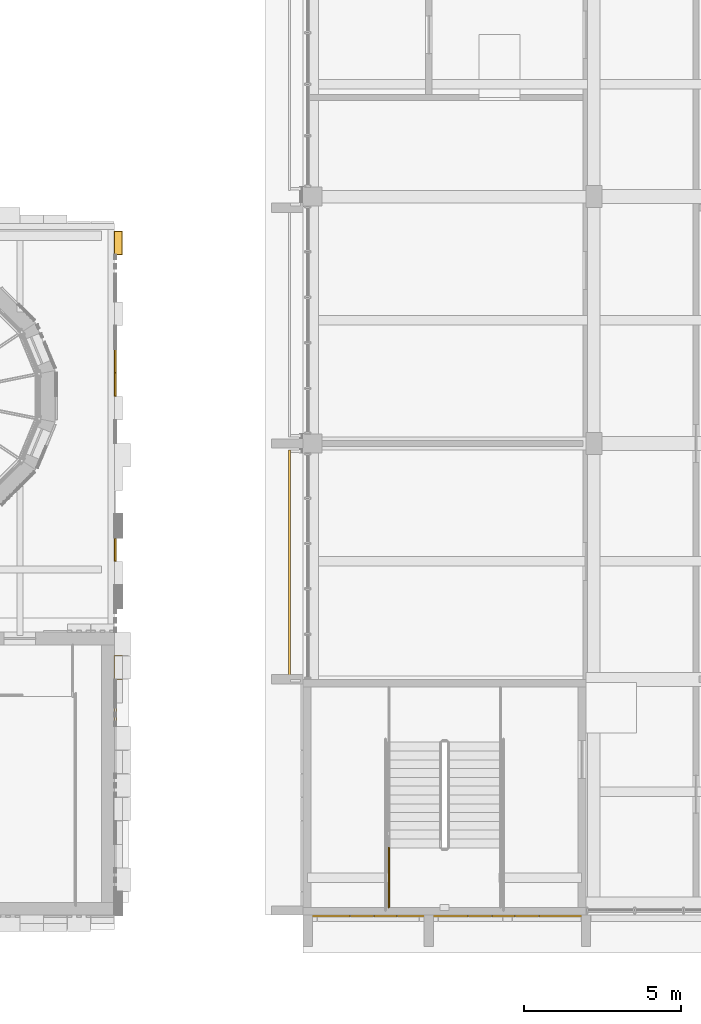
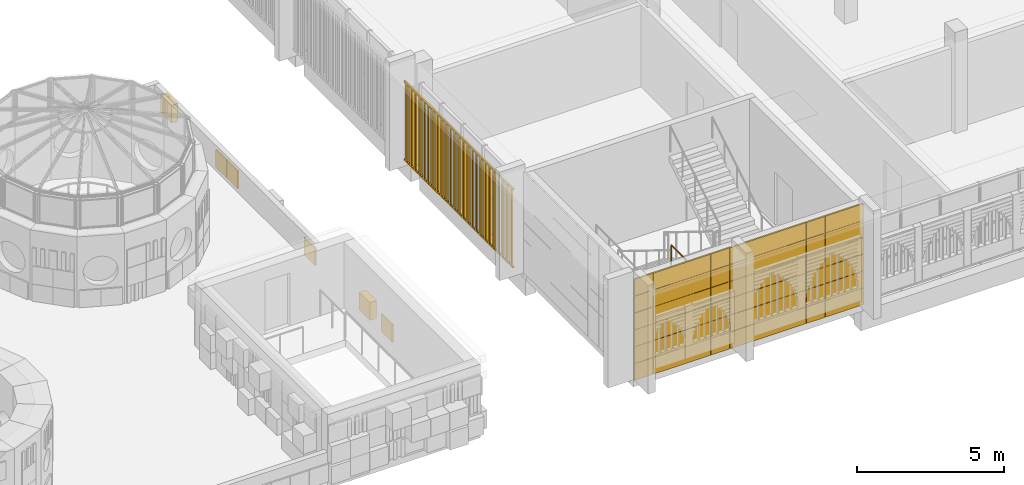
# One storey, part 86 of 98: 2 coverings, 1 railing, 1 shading device.
"""IFC4 building model written with IfcOpenShell, lengths in metres."""

import ifcopenshell
import ifcopenshell.guid

model = None  # the IFC model being written
_history = None  # IfcOwnerHistory: only IFC2X3 demands one
_inside = {}  # id of a spatial element -> (the spatial element, [elements in it])
_under = {}  # id of a project, library or spatial element -> (it, [spatial elements below it])
_declared = {}  # id of a project -> (the project, [libraries it declares])
_typed = {}  # id of a type object -> (the type object, [elements of that type])
_made_of = {}  # id of a material, layer set ... -> (it, [elements and type objects made of it])


def new_model(schema):
    """Start an empty IFC model of exactly this schema.

    Asked for "IFC4X3", IfcOpenShell would pick the latest addendum, in which some entities
    have other attributes; the version numbers below select the first issue.
    IFC2X3 requires an IfcOwnerHistory on every rooted entity: one is made here for all.
    """
    global model, _history
    if schema == "IFC4X3":
        model = ifcopenshell.file(schema_version=(4, 3, 0, 0))
    else:
        model = ifcopenshell.file(schema=schema)
    _inside.clear()
    _under.clear()
    _declared.clear()
    _typed.clear()
    _made_of.clear()
    _history = None
    if model.schema == "IFC2X3":
        org = make("IfcOrganization", Name="unknown")
        user = make(
            "IfcPersonAndOrganization",
            ThePerson=make("IfcPerson", FamilyName="unknown"),
            TheOrganization=org,
        )
        app = make(
            "IfcApplication",
            ApplicationDeveloper=org,
            Version="unknown",
            ApplicationFullName="unknown",
            ApplicationIdentifier="unknown",
        )
        _history = make(
            "IfcOwnerHistory",
            OwningUser=user,
            OwningApplication=app,
            ChangeAction="ADDED",
            CreationDate=0,
        )
    return model


def make(cls, **values):
    """One entity of the class cls with the attributes given. An attribute that is None is left unset."""
    return model.create_entity(
        cls, **{name: value for name, value in values.items() if value is not None}
    )


def rooted(cls, **values):
    """An entity with a GlobalId (a new one), such as an element, a storey or a relation."""
    return make(cls, GlobalId=ifcopenshell.guid.new(), OwnerHistory=_history, **values)


def si_unit(unit_type, name, prefix=None):
    """IfcSIUnit, for example si_unit("LENGTHUNIT", "METRE", prefix="MILLI")."""
    return make("IfcSIUnit", UnitType=unit_type, Prefix=prefix, Name=name)


def assignment(units):
    """IfcUnitAssignment: the units of a project."""
    return None if units is None else make("IfcUnitAssignment", Units=units)


def point(xyz):
    """IfcCartesianPoint."""
    return None if xyz is None else make("IfcCartesianPoint", Coordinates=xyz)


def direction(xyz):
    """IfcDirection."""
    return None if xyz is None else make("IfcDirection", DirectionRatios=xyz)


def frame(location, z_axis=None, x_axis=None):
    """IfcAxis2Placement3D, a coordinate frame: its origin and axes. An axis left out is left unset."""
    return make(
        "IfcAxis2Placement3D",
        Location=point(location),
        Axis=direction(z_axis),
        RefDirection=direction(x_axis),
    )


def frame_2d(location, x_axis=None):
    """IfcAxis2Placement2D, a coordinate frame in the plane: its origin and x axis."""
    return make(
        "IfcAxis2Placement2D", Location=point(location), RefDirection=direction(x_axis)
    )


def origin():
    """The frame at (0, 0, 0) with its axes left unset."""
    return frame((0.0, 0.0, 0.0))


def origin_2d():
    """The frame at (0, 0) in the plane with its x axis left unset."""
    return frame_2d((0.0, 0.0))


def place(relative_to, where):
    """IfcLocalPlacement: puts the frame where relative to a parent placement (None: the world)."""
    return make(
        "IfcLocalPlacement", PlacementRelTo=relative_to, RelativePlacement=where
    )


def context(
    kind, dimensions, precision=None, world=None, true_north=None, identifier=None
):
    """IfcGeometricRepresentationContext, for example the 3D "Model" context."""
    return make(
        "IfcGeometricRepresentationContext",
        ContextIdentifier=identifier,
        ContextType=kind,
        CoordinateSpaceDimension=dimensions,
        Precision=precision,
        WorldCoordinateSystem=world,
        TrueNorth=true_north,
    )


def subcontext(parent, identifier, kind, view, scale=None):
    """IfcGeometricRepresentationSubContext, for example "Body" below "Model"."""
    return make(
        "IfcGeometricRepresentationSubContext",
        ContextIdentifier=identifier,
        ContextType=kind,
        ParentContext=parent,
        TargetScale=scale,
        TargetView=view,
    )


def project(units=None, contexts=None):
    """IfcProject with its units and contexts."""
    return rooted(
        "IfcProject",
        Name="project",
        RepresentationContexts=contexts,
        UnitsInContext=assignment(units),
    )


def spatial(cls, under=None, at=None, **own):
    """A site, building, storey or space (cls), placed at a placement, below another one or the project."""
    s = rooted(cls, ObjectPlacement=at, **own)
    if under is not None:
        _under.setdefault(under.id(), (under, []))[1].append(s)
    return s


def profile(cls, at=None, kind="AREA", **sizes):
    """A parametric profile (cls). Its sizes go by their IFC names, for example OverallWidth=200.0."""
    return make(cls, ProfileType=kind, Position=at, **sizes)


def rectangle(**sizes):
    """IfcRectangleProfileDef."""
    return profile("IfcRectangleProfileDef", **sizes)


def circle(**sizes):
    """IfcCircleProfileDef."""
    return profile("IfcCircleProfileDef", **sizes)


def extrude(swept, where, along, depth):
    """IfcExtrudedAreaSolid: the profile swept, set in the frame where, extruded along a direction by depth."""
    return make(
        "IfcExtrudedAreaSolid",
        SweptArea=swept,
        Position=where,
        ExtrudedDirection=direction(along),
        Depth=depth,
    )


def shape(context_of_items, identifier, shape_type, items):
    """IfcShapeRepresentation: the items that make up one representation, for example the "Body"."""
    return make(
        "IfcShapeRepresentation",
        ContextOfItems=context_of_items,
        RepresentationIdentifier=identifier,
        RepresentationType=shape_type,
        Items=items,
    )


def material(Name=None, Category=None):
    """IfcMaterial."""
    return make("IfcMaterial", Name=Name, Category=Category)


def layer(
    of_material, thickness, ventilated=None, Name=None, Category=None, Priority=None
):
    """IfcMaterialLayer: one layer of a wall or slab, of a material (None: an air gap)."""
    return make(
        "IfcMaterialLayer",
        Material=of_material,
        LayerThickness=thickness,
        IsVentilated=ventilated,
        Name=Name,
        Category=Category,
        Priority=Priority,
    )


def layer_set(layers, Name=None):
    """IfcMaterialLayerSet."""
    return make("IfcMaterialLayerSet", MaterialLayers=layers, LayerSetName=Name)


def made_of(thing, what):
    """Note that an element or type object is made of a material, layer set ...; save() writes the relation."""
    if what is not None:
        _made_of.setdefault(what.id(), (what, []))[1].append(thing)
    return thing


def type_object(cls, material=None, **own):
    """A type object (cls), such as IfcWallType, which elements share."""
    return made_of(rooted(cls, **own), material)


def element(
    cls,
    number,
    at=None,
    inside=None,
    cuts=None,
    type_object=None,
    material=None,
    context=None,
    identifier="Body",
    shape_type=None,
    held_by="IfcProductDefinitionShape",
    body=None,
    shapes=None,
    **own,
):
    """One element of the class cls, such as IfcWall. Its Tag is "e" and its number.

    at: its placement. inside: the storey or other place that contains it. cuts: it is an
    opening in that element (IfcRelVoidsElement). A single representation is given by context,
    identifier, shape_type and body (its items); several are given by shapes. held_by: the class
    of the entity that holds the representations. save() writes the other relations.
    """
    e = rooted(cls, Tag="e%d" % number, ObjectPlacement=at, **own)
    if body is not None:
        shapes = [shape(context, identifier, shape_type, body)]
    if shapes is not None:
        e.Representation = make(held_by, Representations=shapes)
    if inside is not None:
        _inside.setdefault(inside.id(), (inside, []))[1].append(e)
    if cuts is not None:
        rooted(
            "IfcRelVoidsElement", RelatingBuildingElement=cuts, RelatedOpeningElement=e
        )
    if type_object is not None:
        _typed.setdefault(type_object.id(), (type_object, []))[1].append(e)
    return made_of(e, material)


def aggregate(whole, parts):
    """IfcRelAggregates: a whole, such as a stair, and the parts it consists of."""
    return rooted("IfcRelAggregates", RelatingObject=whole, RelatedObjects=parts)


def save(model, path):
    """Write the relations noted so far, then the file.

    IfcRelAggregates (storeys below a building ...), IfcRelContainedInSpatialStructure (elements
    in a storey), IfcRelDefinesByType, IfcRelAssociatesMaterial and IfcRelDeclares: one each for
    every whole, place, type object, material and project.
    """
    for whole, parts in _under.values():
        aggregate(whole, parts)
    for where, things in _inside.values():
        rooted(
            "IfcRelContainedInSpatialStructure",
            RelatedElements=things,
            RelatingStructure=where,
        )
    for kind, things in _typed.values():
        rooted("IfcRelDefinesByType", RelatedObjects=things, RelatingType=kind)
    for what, things in _made_of.values():
        rooted("IfcRelAssociatesMaterial", RelatedObjects=things, RelatingMaterial=what)
    for by, libraries in _declared.values():
        rooted("IfcRelDeclares", RelatingContext=by, RelatedDefinitions=libraries)
    model.write(path)


model = new_model("IFC4")

# Units and contexts
model_context = context("Model", 3, precision=1e-05, world=origin(), true_north=direction((0.0, 1.0)))
body_context = subcontext(model_context, "Body", "Model", "MODEL_VIEW")
ifc_project = project(units=[si_unit("LENGTHUNIT", "METRE"), si_unit("AREAUNIT", "SQUARE_METRE"), si_unit("VOLUMEUNIT", "CUBIC_METRE"), si_unit("PLANEANGLEUNIT", "RADIAN"), si_unit("MASSUNIT", "GRAM", prefix="KILO")], contexts=[model_context])

# Site, building, storey
site_placement = place(None, origin())
site = spatial("IfcSite", under=ifc_project, at=site_placement, CompositionType="ELEMENT")
building_placement = place(site_placement, origin())
building = spatial("IfcBuilding", under=site, at=building_placement, Name="Sun Court Science Centre", CompositionType="ELEMENT")
storey_placement = place(building_placement, frame((0.0, 0.0, 15.75)))
storey = spatial("IfcBuildingStorey", under=building, at=storey_placement, Name="L03", CompositionType="ELEMENT", Elevation=15.75)

# Railing
ifc_material_1 = material(Name="Steel S275", Category="steel")
railing_type = type_object("IfcRailingType", Name="Guard 1100 steel balustrade", PredefinedType="GUARDRAIL", material=ifc_material_1)
railing_placement = place(storey_placement, frame((80.72705078125, 8.14208984375, 2.25)))
element("IfcRailing", 1, at=railing_placement, inside=storey, type_object=railing_type, Name="L03 SL1 stair guard 3", PredefinedType="GUARDRAIL", context=body_context, shape_type="SweptSolid", body=[
    extrude(circle(Radius=0.02392578125, at=origin_2d()), frame((0.0, 0.0, 1.076171875), z_axis=(0.0, -1.0, 0.0), x_axis=(1.0, 0.0, 0.0)), (0.0, 0.0, 1.0), 1.89208984375),
    extrude(circle(Radius=0.02099609375, at=origin_2d()), origin(), (0.0, 0.0, 1.0), 1.052001953125),
    extrude(circle(Radius=0.02099609375, at=origin_2d()), frame((0.0, -0.946044921875, 0.0)), (0.0, 0.0, 1.0), 1.052001953125),
    extrude(circle(Radius=0.02099609375, at=origin_2d()), frame((0.0, -1.89208984375, 0.0)), (0.0, 0.0, 1.0), 1.052001953125),
])

# Shading device
ifc_material_2 = material(Name="Red sandstone", Category="masonry")
ifc_layer_1 = layer(ifc_material_2, 0.06005859375)
ifc_layer_set_1 = layer_set([ifc_layer_1], Name="Red sandstone")
shading_device_type = type_object("IfcShadingDeviceType", Name="Jali screen, sandstone", PredefinedType="USERDEFINED", material=ifc_layer_set_1)
shading_device_placement = place(storey_placement, frame((0.0, 0.0, -15.75)))
element("IfcShadingDevice", 2, at=shading_device_placement, inside=storey, type_object=shading_device_type, Name="Jali screen west face L03 01", ObjectType="JALI SCREEN", PredefinedType="USERDEFINED", context=body_context, shape_type="SweptSolid", body=[
    extrude(rectangle(XDim=0.1201171875, YDim=0.06005859375, at=origin_2d()), frame((77.570068359375, 13.548095703125, 16.08984375), z_axis=(0.0, 0.0, 1.0), x_axis=(0.0, 1.0, 0.0)), (0.0, 0.0, 1.0), 3.219970703125),
    extrude(rectangle(XDim=0.1201171875, YDim=0.06005859375, at=origin_2d()), frame((77.570068359375, 13.843994140625, 16.08984375), z_axis=(0.0, 0.0, 1.0), x_axis=(0.0, 1.0, 0.0)), (0.0, 0.0, 1.0), 3.219970703125),
    extrude(rectangle(XDim=0.1201171875, YDim=0.06005859375, at=origin_2d()), frame((77.570068359375, 14.139892578125, 16.08984375), z_axis=(0.0, 0.0, 1.0), x_axis=(0.0, 1.0, 0.0)), (0.0, 0.0, 1.0), 3.219970703125),
    extrude(rectangle(XDim=0.1201171875, YDim=0.06005859375, at=origin_2d()), frame((77.570068359375, 14.43603515625, 16.08984375), z_axis=(0.0, 0.0, 1.0), x_axis=(0.0, 1.0, 0.0)), (0.0, 0.0, 1.0), 3.219970703125),
    extrude(rectangle(XDim=0.1201171875, YDim=0.06005859375, at=origin_2d()), frame((77.570068359375, 14.73193359375, 16.08984375), z_axis=(0.0, 0.0, 1.0), x_axis=(0.0, 1.0, 0.0)), (0.0, 0.0, 1.0), 3.219970703125),
    extrude(rectangle(XDim=0.1201171875, YDim=0.06005859375, at=origin_2d()), frame((77.570068359375, 15.028076171875, 16.08984375), z_axis=(0.0, 0.0, 1.0), x_axis=(0.0, 1.0, 0.0)), (0.0, 0.0, 1.0), 3.219970703125),
    extrude(rectangle(XDim=0.1201171875, YDim=0.06005859375, at=origin_2d()), frame((77.570068359375, 15.323974609375, 16.08984375), z_axis=(0.0, 0.0, 1.0), x_axis=(0.0, 1.0, 0.0)), (0.0, 0.0, 1.0), 3.219970703125),
    extrude(rectangle(XDim=0.1201171875, YDim=0.06005859375, at=origin_2d()), frame((77.570068359375, 15.6201171875, 16.08984375), z_axis=(0.0, 0.0, 1.0), x_axis=(0.0, 1.0, 0.0)), (0.0, 0.0, 1.0), 3.219970703125),
    extrude(rectangle(XDim=0.1201171875, YDim=0.06005859375, at=origin_2d()), frame((77.570068359375, 15.916015625, 16.08984375), z_axis=(0.0, 0.0, 1.0), x_axis=(0.0, 1.0, 0.0)), (0.0, 0.0, 1.0), 3.219970703125),
    extrude(rectangle(XDim=0.1201171875, YDim=0.06005859375, at=origin_2d()), frame((77.570068359375, 16.2119140625, 16.08984375), z_axis=(0.0, 0.0, 1.0), x_axis=(0.0, 1.0, 0.0)), (0.0, 0.0, 1.0), 3.219970703125),
    extrude(rectangle(XDim=0.1201171875, YDim=0.06005859375, at=origin_2d()), frame((77.570068359375, 16.508056640625, 16.08984375), z_axis=(0.0, 0.0, 1.0), x_axis=(0.0, 1.0, 0.0)), (0.0, 0.0, 1.0), 3.219970703125),
    extrude(rectangle(XDim=0.1201171875, YDim=0.06005859375, at=origin_2d()), frame((77.570068359375, 16.803955078125, 16.08984375), z_axis=(0.0, 0.0, 1.0), x_axis=(0.0, 1.0, 0.0)), (0.0, 0.0, 1.0), 3.219970703125),
    extrude(rectangle(XDim=0.1201171875, YDim=0.06005859375, at=origin_2d()), frame((77.570068359375, 17.10009765625, 16.08984375), z_axis=(0.0, 0.0, 1.0), x_axis=(0.0, 1.0, 0.0)), (0.0, 0.0, 1.0), 3.219970703125),
    extrude(rectangle(XDim=0.1201171875, YDim=0.06005859375, at=origin_2d()), frame((77.570068359375, 17.39599609375, 16.08984375), z_axis=(0.0, 0.0, 1.0), x_axis=(0.0, 1.0, 0.0)), (0.0, 0.0, 1.0), 3.219970703125),
    extrude(rectangle(XDim=0.1201171875, YDim=0.06005859375, at=origin_2d()), frame((77.570068359375, 17.69189453125, 16.08984375), z_axis=(0.0, 0.0, 1.0), x_axis=(0.0, 1.0, 0.0)), (0.0, 0.0, 1.0), 3.219970703125),
    extrude(rectangle(XDim=0.1201171875, YDim=0.06005859375, at=origin_2d()), frame((77.570068359375, 17.988037109375, 16.08984375), z_axis=(0.0, 0.0, 1.0), x_axis=(0.0, 1.0, 0.0)), (0.0, 0.0, 1.0), 3.219970703125),
    extrude(rectangle(XDim=0.1201171875, YDim=0.06005859375, at=origin_2d()), frame((77.570068359375, 18.283935546875, 16.08984375), z_axis=(0.0, 0.0, 1.0), x_axis=(0.0, 1.0, 0.0)), (0.0, 0.0, 1.0), 3.219970703125),
    extrude(rectangle(XDim=0.1201171875, YDim=0.06005859375, at=origin_2d()), frame((77.570068359375, 18.580078125, 16.08984375), z_axis=(0.0, 0.0, 1.0), x_axis=(0.0, 1.0, 0.0)), (0.0, 0.0, 1.0), 3.219970703125),
    extrude(rectangle(XDim=0.1201171875, YDim=0.06005859375, at=origin_2d()), frame((77.570068359375, 18.8759765625, 16.08984375), z_axis=(0.0, 0.0, 1.0), x_axis=(0.0, 1.0, 0.0)), (0.0, 0.0, 1.0), 3.219970703125),
    extrude(rectangle(XDim=0.1201171875, YDim=0.06005859375, at=origin_2d()), frame((77.570068359375, 19.172119140625, 16.08984375), z_axis=(0.0, 0.0, 1.0), x_axis=(0.0, 1.0, 0.0)), (0.0, 0.0, 1.0), 3.219970703125),
    extrude(rectangle(XDim=0.1201171875, YDim=0.06005859375, at=origin_2d()), frame((77.570068359375, 19.468017578125, 16.08984375), z_axis=(0.0, 0.0, 1.0), x_axis=(0.0, 1.0, 0.0)), (0.0, 0.0, 1.0), 3.219970703125),
    extrude(rectangle(XDim=0.1201171875, YDim=0.06005859375, at=origin_2d()), frame((77.570068359375, 19.763916015625, 16.08984375), z_axis=(0.0, 0.0, 1.0), x_axis=(0.0, 1.0, 0.0)), (0.0, 0.0, 1.0), 3.219970703125),
    extrude(rectangle(XDim=0.1201171875, YDim=0.06005859375, at=origin_2d()), frame((77.570068359375, 20.06005859375, 16.08984375), z_axis=(0.0, 0.0, 1.0), x_axis=(0.0, 1.0, 0.0)), (0.0, 0.0, 1.0), 3.219970703125),
    extrude(rectangle(XDim=0.1201171875, YDim=0.06005859375, at=origin_2d()), frame((77.570068359375, 20.35595703125, 16.08984375), z_axis=(0.0, 0.0, 1.0), x_axis=(0.0, 1.0, 0.0)), (0.0, 0.0, 1.0), 3.219970703125),
    extrude(rectangle(XDim=0.1201171875, YDim=0.06005859375, at=origin_2d()), frame((77.570068359375, 20.652099609375, 16.08984375), z_axis=(0.0, 0.0, 1.0), x_axis=(0.0, 1.0, 0.0)), (0.0, 0.0, 1.0), 3.219970703125),
    extrude(rectangle(XDim=7.39990234375, YDim=0.06005859375, at=origin_2d()), frame((77.570068359375, 17.10009765625, 16.050048828125), z_axis=(0.0, 0.0, 1.0), x_axis=(0.0, 1.0, 0.0)), (0.0, 0.0, 1.0), 0.06005859375),
    extrude(rectangle(XDim=7.39990234375, YDim=0.06005859375, at=origin_2d()), frame((77.570068359375, 17.10009765625, 19.2900390625), z_axis=(0.0, 0.0, 1.0), x_axis=(0.0, 1.0, 0.0)), (0.0, 0.0, 1.0), 0.06005859375),
])

# Coverings
ifc_material_3 = material(Name="Red sandstone", Category="masonry")
ifc_layer_2 = layer(ifc_material_3, 0.06005859375)
ifc_layer_set_2 = layer_set([ifc_layer_2], Name="Red sandstone")
covering_type_1 = type_object("IfcCoveringType", Name="Red sandstone wall cladding 750", PredefinedType="CLADDING", material=ifc_layer_set_2)
covering_1_placement = place(storey_placement, frame((0.0, 0.0, -15.75)))
element("IfcCovering", 3, at=covering_1_placement, inside=storey, type_object=covering_type_1, Name="Red sandstone wall cladding south face L03", PredefinedType="CLADDING", context=body_context, shape_type="SweptSolid", body=[
    extrude(rectangle(XDim=0.739990234375, YDim=0.06005859375, at=origin_2d()), frame((86.625, 5.969970703125, 15.755126953125), z_axis=(0.0, 0.0, 1.0), x_axis=(-1.0, 0.0, 0.0)), (0.0, 0.0, 1.0), 0.68994140625),
    extrude(rectangle(XDim=0.739990234375, YDim=0.06005859375, at=origin_2d()), frame((85.875, 5.969970703125, 15.755126953125), z_axis=(0.0, 0.0, 1.0), x_axis=(-1.0, 0.0, 0.0)), (0.0, 0.0, 1.0), 0.68994140625),
    extrude(rectangle(XDim=0.739990234375, YDim=0.06005859375, at=origin_2d()), frame((85.125, 5.969970703125, 15.755126953125), z_axis=(0.0, 0.0, 1.0), x_axis=(-1.0, 0.0, 0.0)), (0.0, 0.0, 1.0), 0.68994140625),
    extrude(rectangle(XDim=0.739990234375, YDim=0.06005859375, at=origin_2d()), frame((84.375, 5.969970703125, 15.755126953125), z_axis=(0.0, 0.0, 1.0), x_axis=(-1.0, 0.0, 0.0)), (0.0, 0.0, 1.0), 0.68994140625),
    extrude(rectangle(XDim=0.739990234375, YDim=0.06005859375, at=origin_2d()), frame((83.625, 5.969970703125, 15.755126953125), z_axis=(0.0, 0.0, 1.0), x_axis=(-1.0, 0.0, 0.0)), (0.0, 0.0, 1.0), 0.68994140625),
    extrude(rectangle(XDim=0.739990234375, YDim=0.06005859375, at=origin_2d()), frame((82.875, 5.969970703125, 15.755126953125), z_axis=(0.0, 0.0, 1.0), x_axis=(-1.0, 0.0, 0.0)), (0.0, 0.0, 1.0), 0.68994140625),
    extrude(rectangle(XDim=0.739990234375, YDim=0.06005859375, at=origin_2d()), frame((82.125, 5.969970703125, 15.755126953125), z_axis=(0.0, 0.0, 1.0), x_axis=(-1.0, 0.0, 0.0)), (0.0, 0.0, 1.0), 0.68994140625),
    extrude(rectangle(XDim=0.739990234375, YDim=0.06005859375, at=origin_2d()), frame((81.375, 5.969970703125, 15.755126953125), z_axis=(0.0, 0.0, 1.0), x_axis=(-1.0, 0.0, 0.0)), (0.0, 0.0, 1.0), 0.68994140625),
    extrude(rectangle(XDim=0.739990234375, YDim=0.06005859375, at=origin_2d()), frame((80.625, 5.969970703125, 15.755126953125), z_axis=(0.0, 0.0, 1.0), x_axis=(-1.0, 0.0, 0.0)), (0.0, 0.0, 1.0), 0.68994140625),
    extrude(rectangle(XDim=0.739990234375, YDim=0.06005859375, at=origin_2d()), frame((79.875, 5.969970703125, 15.755126953125), z_axis=(0.0, 0.0, 1.0), x_axis=(-1.0, 0.0, 0.0)), (0.0, 0.0, 1.0), 0.68994140625),
    extrude(rectangle(XDim=0.739990234375, YDim=0.06005859375, at=origin_2d()), frame((79.125, 5.969970703125, 15.755126953125), z_axis=(0.0, 0.0, 1.0), x_axis=(-1.0, 0.0, 0.0)), (0.0, 0.0, 1.0), 0.68994140625),
    extrude(rectangle(XDim=0.739990234375, YDim=0.06005859375, at=origin_2d()), frame((78.375, 5.969970703125, 15.755126953125), z_axis=(0.0, 0.0, 1.0), x_axis=(-1.0, 0.0, 0.0)), (0.0, 0.0, 1.0), 0.68994140625),
    extrude(rectangle(XDim=0.739990234375, YDim=0.06005859375, at=origin_2d()), frame((86.625, 5.969970703125, 16.455078125), z_axis=(0.0, 0.0, 1.0), x_axis=(-1.0, 0.0, 0.0)), (0.0, 0.0, 1.0), 0.68994140625),
    extrude(rectangle(XDim=0.739990234375, YDim=0.06005859375, at=origin_2d()), frame((85.875, 5.969970703125, 16.455078125), z_axis=(0.0, 0.0, 1.0), x_axis=(-1.0, 0.0, 0.0)), (0.0, 0.0, 1.0), 0.68994140625),
    extrude(rectangle(XDim=0.739990234375, YDim=0.06005859375, at=origin_2d()), frame((85.125, 5.969970703125, 16.455078125), z_axis=(0.0, 0.0, 1.0), x_axis=(-1.0, 0.0, 0.0)), (0.0, 0.0, 1.0), 0.68994140625),
    extrude(rectangle(XDim=0.739990234375, YDim=0.06005859375, at=origin_2d()), frame((84.375, 5.969970703125, 16.455078125), z_axis=(0.0, 0.0, 1.0), x_axis=(-1.0, 0.0, 0.0)), (0.0, 0.0, 1.0), 0.68994140625),
    extrude(rectangle(XDim=0.739990234375, YDim=0.06005859375, at=origin_2d()), frame((83.625, 5.969970703125, 16.455078125), z_axis=(0.0, 0.0, 1.0), x_axis=(-1.0, 0.0, 0.0)), (0.0, 0.0, 1.0), 0.68994140625),
    extrude(rectangle(XDim=0.739990234375, YDim=0.06005859375, at=origin_2d()), frame((82.875, 5.969970703125, 16.455078125), z_axis=(0.0, 0.0, 1.0), x_axis=(-1.0, 0.0, 0.0)), (0.0, 0.0, 1.0), 0.68994140625),
    extrude(rectangle(XDim=0.739990234375, YDim=0.06005859375, at=origin_2d()), frame((82.125, 5.969970703125, 16.455078125), z_axis=(0.0, 0.0, 1.0), x_axis=(-1.0, 0.0, 0.0)), (0.0, 0.0, 1.0), 0.68994140625),
    extrude(rectangle(XDim=0.739990234375, YDim=0.06005859375, at=origin_2d()), frame((81.375, 5.969970703125, 16.455078125), z_axis=(0.0, 0.0, 1.0), x_axis=(-1.0, 0.0, 0.0)), (0.0, 0.0, 1.0), 0.68994140625),
    extrude(rectangle(XDim=0.739990234375, YDim=0.06005859375, at=origin_2d()), frame((80.625, 5.969970703125, 16.455078125), z_axis=(0.0, 0.0, 1.0), x_axis=(-1.0, 0.0, 0.0)), (0.0, 0.0, 1.0), 0.68994140625),
    extrude(rectangle(XDim=0.739990234375, YDim=0.06005859375, at=origin_2d()), frame((79.875, 5.969970703125, 16.455078125), z_axis=(0.0, 0.0, 1.0), x_axis=(-1.0, 0.0, 0.0)), (0.0, 0.0, 1.0), 0.68994140625),
    extrude(rectangle(XDim=0.739990234375, YDim=0.06005859375, at=origin_2d()), frame((79.125, 5.969970703125, 16.455078125), z_axis=(0.0, 0.0, 1.0), x_axis=(-1.0, 0.0, 0.0)), (0.0, 0.0, 1.0), 0.68994140625),
    extrude(rectangle(XDim=0.739990234375, YDim=0.06005859375, at=origin_2d()), frame((78.375, 5.969970703125, 16.455078125), z_axis=(0.0, 0.0, 1.0), x_axis=(-1.0, 0.0, 0.0)), (0.0, 0.0, 1.0), 0.68994140625),
    extrude(rectangle(XDim=0.739990234375, YDim=0.06005859375, at=origin_2d()), frame((86.625, 5.969970703125, 17.155029296875), z_axis=(0.0, 0.0, 1.0), x_axis=(-1.0, 0.0, 0.0)), (0.0, 0.0, 1.0), 0.68994140625),
    extrude(rectangle(XDim=0.739990234375, YDim=0.06005859375, at=origin_2d()), frame((85.875, 5.969970703125, 17.155029296875), z_axis=(0.0, 0.0, 1.0), x_axis=(-1.0, 0.0, 0.0)), (0.0, 0.0, 1.0), 0.68994140625),
    extrude(rectangle(XDim=0.739990234375, YDim=0.06005859375, at=origin_2d()), frame((85.125, 5.969970703125, 17.155029296875), z_axis=(0.0, 0.0, 1.0), x_axis=(-1.0, 0.0, 0.0)), (0.0, 0.0, 1.0), 0.68994140625),
    extrude(rectangle(XDim=0.739990234375, YDim=0.06005859375, at=origin_2d()), frame((84.375, 5.969970703125, 17.155029296875), z_axis=(0.0, 0.0, 1.0), x_axis=(-1.0, 0.0, 0.0)), (0.0, 0.0, 1.0), 0.68994140625),
    extrude(rectangle(XDim=0.739990234375, YDim=0.06005859375, at=origin_2d()), frame((83.625, 5.969970703125, 17.155029296875), z_axis=(0.0, 0.0, 1.0), x_axis=(-1.0, 0.0, 0.0)), (0.0, 0.0, 1.0), 0.68994140625),
    extrude(rectangle(XDim=0.739990234375, YDim=0.06005859375, at=origin_2d()), frame((82.875, 5.969970703125, 17.155029296875), z_axis=(0.0, 0.0, 1.0), x_axis=(-1.0, 0.0, 0.0)), (0.0, 0.0, 1.0), 0.68994140625),
    extrude(rectangle(XDim=0.739990234375, YDim=0.06005859375, at=origin_2d()), frame((82.125, 5.969970703125, 17.155029296875), z_axis=(0.0, 0.0, 1.0), x_axis=(-1.0, 0.0, 0.0)), (0.0, 0.0, 1.0), 0.68994140625),
    extrude(rectangle(XDim=0.739990234375, YDim=0.06005859375, at=origin_2d()), frame((81.375, 5.969970703125, 17.155029296875), z_axis=(0.0, 0.0, 1.0), x_axis=(-1.0, 0.0, 0.0)), (0.0, 0.0, 1.0), 0.68994140625),
    extrude(rectangle(XDim=0.739990234375, YDim=0.06005859375, at=origin_2d()), frame((80.625, 5.969970703125, 17.155029296875), z_axis=(0.0, 0.0, 1.0), x_axis=(-1.0, 0.0, 0.0)), (0.0, 0.0, 1.0), 0.68994140625),
    extrude(rectangle(XDim=0.739990234375, YDim=0.06005859375, at=origin_2d()), frame((79.875, 5.969970703125, 17.155029296875), z_axis=(0.0, 0.0, 1.0), x_axis=(-1.0, 0.0, 0.0)), (0.0, 0.0, 1.0), 0.68994140625),
    extrude(rectangle(XDim=0.739990234375, YDim=0.06005859375, at=origin_2d()), frame((79.125, 5.969970703125, 17.155029296875), z_axis=(0.0, 0.0, 1.0), x_axis=(-1.0, 0.0, 0.0)), (0.0, 0.0, 1.0), 0.68994140625),
    extrude(rectangle(XDim=0.739990234375, YDim=0.06005859375, at=origin_2d()), frame((78.375, 5.969970703125, 17.155029296875), z_axis=(0.0, 0.0, 1.0), x_axis=(-1.0, 0.0, 0.0)), (0.0, 0.0, 1.0), 0.68994140625),
    extrude(rectangle(XDim=0.739990234375, YDim=0.06005859375, at=origin_2d()), frame((86.625, 5.969970703125, 17.85498046875), z_axis=(0.0, 0.0, 1.0), x_axis=(-1.0, 0.0, 0.0)), (0.0, 0.0, 1.0), 0.68994140625),
    extrude(rectangle(XDim=0.739990234375, YDim=0.06005859375, at=origin_2d()), frame((85.875, 5.969970703125, 17.85498046875), z_axis=(0.0, 0.0, 1.0), x_axis=(-1.0, 0.0, 0.0)), (0.0, 0.0, 1.0), 0.68994140625),
    extrude(rectangle(XDim=0.739990234375, YDim=0.06005859375, at=origin_2d()), frame((85.125, 5.969970703125, 17.85498046875), z_axis=(0.0, 0.0, 1.0), x_axis=(-1.0, 0.0, 0.0)), (0.0, 0.0, 1.0), 0.68994140625),
    extrude(rectangle(XDim=0.739990234375, YDim=0.06005859375, at=origin_2d()), frame((84.375, 5.969970703125, 17.85498046875), z_axis=(0.0, 0.0, 1.0), x_axis=(-1.0, 0.0, 0.0)), (0.0, 0.0, 1.0), 0.68994140625),
    extrude(rectangle(XDim=0.739990234375, YDim=0.06005859375, at=origin_2d()), frame((83.625, 5.969970703125, 17.85498046875), z_axis=(0.0, 0.0, 1.0), x_axis=(-1.0, 0.0, 0.0)), (0.0, 0.0, 1.0), 0.68994140625),
    extrude(rectangle(XDim=0.739990234375, YDim=0.06005859375, at=origin_2d()), frame((82.875, 5.969970703125, 17.85498046875), z_axis=(0.0, 0.0, 1.0), x_axis=(-1.0, 0.0, 0.0)), (0.0, 0.0, 1.0), 0.68994140625),
    extrude(rectangle(XDim=0.739990234375, YDim=0.06005859375, at=origin_2d()), frame((82.125, 5.969970703125, 17.85498046875), z_axis=(0.0, 0.0, 1.0), x_axis=(-1.0, 0.0, 0.0)), (0.0, 0.0, 1.0), 0.68994140625),
    extrude(rectangle(XDim=0.739990234375, YDim=0.06005859375, at=origin_2d()), frame((81.375, 5.969970703125, 17.85498046875), z_axis=(0.0, 0.0, 1.0), x_axis=(-1.0, 0.0, 0.0)), (0.0, 0.0, 1.0), 0.68994140625),
    extrude(rectangle(XDim=0.739990234375, YDim=0.06005859375, at=origin_2d()), frame((80.625, 5.969970703125, 17.85498046875), z_axis=(0.0, 0.0, 1.0), x_axis=(-1.0, 0.0, 0.0)), (0.0, 0.0, 1.0), 0.68994140625),
    extrude(rectangle(XDim=0.739990234375, YDim=0.06005859375, at=origin_2d()), frame((79.875, 5.969970703125, 17.85498046875), z_axis=(0.0, 0.0, 1.0), x_axis=(-1.0, 0.0, 0.0)), (0.0, 0.0, 1.0), 0.68994140625),
    extrude(rectangle(XDim=0.739990234375, YDim=0.06005859375, at=origin_2d()), frame((79.125, 5.969970703125, 17.85498046875), z_axis=(0.0, 0.0, 1.0), x_axis=(-1.0, 0.0, 0.0)), (0.0, 0.0, 1.0), 0.68994140625),
    extrude(rectangle(XDim=0.739990234375, YDim=0.06005859375, at=origin_2d()), frame((78.375, 5.969970703125, 17.85498046875), z_axis=(0.0, 0.0, 1.0), x_axis=(-1.0, 0.0, 0.0)), (0.0, 0.0, 1.0), 0.68994140625),
    extrude(rectangle(XDim=0.739990234375, YDim=0.06005859375, at=origin_2d()), frame((86.625, 5.969970703125, 18.554931640625), z_axis=(0.0, 0.0, 1.0), x_axis=(-1.0, 0.0, 0.0)), (0.0, 0.0, 1.0), 0.68994140625),
    extrude(rectangle(XDim=0.739990234375, YDim=0.06005859375, at=origin_2d()), frame((85.875, 5.969970703125, 18.554931640625), z_axis=(0.0, 0.0, 1.0), x_axis=(-1.0, 0.0, 0.0)), (0.0, 0.0, 1.0), 0.68994140625),
    extrude(rectangle(XDim=0.739990234375, YDim=0.06005859375, at=origin_2d()), frame((85.125, 5.969970703125, 18.554931640625), z_axis=(0.0, 0.0, 1.0), x_axis=(-1.0, 0.0, 0.0)), (0.0, 0.0, 1.0), 0.68994140625),
    extrude(rectangle(XDim=0.739990234375, YDim=0.06005859375, at=origin_2d()), frame((84.375, 5.969970703125, 18.554931640625), z_axis=(0.0, 0.0, 1.0), x_axis=(-1.0, 0.0, 0.0)), (0.0, 0.0, 1.0), 0.68994140625),
    extrude(rectangle(XDim=0.739990234375, YDim=0.06005859375, at=origin_2d()), frame((83.625, 5.969970703125, 18.554931640625), z_axis=(0.0, 0.0, 1.0), x_axis=(-1.0, 0.0, 0.0)), (0.0, 0.0, 1.0), 0.68994140625),
    extrude(rectangle(XDim=0.739990234375, YDim=0.06005859375, at=origin_2d()), frame((82.875, 5.969970703125, 18.554931640625), z_axis=(0.0, 0.0, 1.0), x_axis=(-1.0, 0.0, 0.0)), (0.0, 0.0, 1.0), 0.68994140625),
    extrude(rectangle(XDim=0.739990234375, YDim=0.06005859375, at=origin_2d()), frame((82.125, 5.969970703125, 18.554931640625), z_axis=(0.0, 0.0, 1.0), x_axis=(-1.0, 0.0, 0.0)), (0.0, 0.0, 1.0), 0.68994140625),
    extrude(rectangle(XDim=0.739990234375, YDim=0.06005859375, at=origin_2d()), frame((81.375, 5.969970703125, 18.554931640625), z_axis=(0.0, 0.0, 1.0), x_axis=(-1.0, 0.0, 0.0)), (0.0, 0.0, 1.0), 0.68994140625),
    extrude(rectangle(XDim=0.739990234375, YDim=0.06005859375, at=origin_2d()), frame((80.625, 5.969970703125, 18.554931640625), z_axis=(0.0, 0.0, 1.0), x_axis=(-1.0, 0.0, 0.0)), (0.0, 0.0, 1.0), 0.68994140625),
    extrude(rectangle(XDim=0.739990234375, YDim=0.06005859375, at=origin_2d()), frame((79.875, 5.969970703125, 18.554931640625), z_axis=(0.0, 0.0, 1.0), x_axis=(-1.0, 0.0, 0.0)), (0.0, 0.0, 1.0), 0.68994140625),
    extrude(rectangle(XDim=0.739990234375, YDim=0.06005859375, at=origin_2d()), frame((79.125, 5.969970703125, 18.554931640625), z_axis=(0.0, 0.0, 1.0), x_axis=(-1.0, 0.0, 0.0)), (0.0, 0.0, 1.0), 0.68994140625),
    extrude(rectangle(XDim=0.739990234375, YDim=0.06005859375, at=origin_2d()), frame((78.375, 5.969970703125, 18.554931640625), z_axis=(0.0, 0.0, 1.0), x_axis=(-1.0, 0.0, 0.0)), (0.0, 0.0, 1.0), 0.68994140625),
    extrude(rectangle(XDim=0.739990234375, YDim=0.06005859375, at=origin_2d()), frame((86.625, 5.969970703125, 19.255126953125), z_axis=(0.0, 0.0, 1.0), x_axis=(-1.0, 0.0, 0.0)), (0.0, 0.0, 1.0), 0.68994140625),
    extrude(rectangle(XDim=0.739990234375, YDim=0.06005859375, at=origin_2d()), frame((85.875, 5.969970703125, 19.255126953125), z_axis=(0.0, 0.0, 1.0), x_axis=(-1.0, 0.0, 0.0)), (0.0, 0.0, 1.0), 0.68994140625),
    extrude(rectangle(XDim=0.739990234375, YDim=0.06005859375, at=origin_2d()), frame((85.125, 5.969970703125, 19.255126953125), z_axis=(0.0, 0.0, 1.0), x_axis=(-1.0, 0.0, 0.0)), (0.0, 0.0, 1.0), 0.68994140625),
    extrude(rectangle(XDim=0.739990234375, YDim=0.06005859375, at=origin_2d()), frame((84.375, 5.969970703125, 19.255126953125), z_axis=(0.0, 0.0, 1.0), x_axis=(-1.0, 0.0, 0.0)), (0.0, 0.0, 1.0), 0.68994140625),
    extrude(rectangle(XDim=0.739990234375, YDim=0.06005859375, at=origin_2d()), frame((83.625, 5.969970703125, 19.255126953125), z_axis=(0.0, 0.0, 1.0), x_axis=(-1.0, 0.0, 0.0)), (0.0, 0.0, 1.0), 0.68994140625),
    extrude(rectangle(XDim=0.739990234375, YDim=0.06005859375, at=origin_2d()), frame((82.875, 5.969970703125, 19.255126953125), z_axis=(0.0, 0.0, 1.0), x_axis=(-1.0, 0.0, 0.0)), (0.0, 0.0, 1.0), 0.68994140625),
    extrude(rectangle(XDim=0.739990234375, YDim=0.06005859375, at=origin_2d()), frame((82.125, 5.969970703125, 19.255126953125), z_axis=(0.0, 0.0, 1.0), x_axis=(-1.0, 0.0, 0.0)), (0.0, 0.0, 1.0), 0.68994140625),
    extrude(rectangle(XDim=0.739990234375, YDim=0.06005859375, at=origin_2d()), frame((81.375, 5.969970703125, 19.255126953125), z_axis=(0.0, 0.0, 1.0), x_axis=(-1.0, 0.0, 0.0)), (0.0, 0.0, 1.0), 0.68994140625),
    extrude(rectangle(XDim=0.739990234375, YDim=0.06005859375, at=origin_2d()), frame((80.625, 5.969970703125, 19.255126953125), z_axis=(0.0, 0.0, 1.0), x_axis=(-1.0, 0.0, 0.0)), (0.0, 0.0, 1.0), 0.68994140625),
    extrude(rectangle(XDim=0.739990234375, YDim=0.06005859375, at=origin_2d()), frame((79.875, 5.969970703125, 19.255126953125), z_axis=(0.0, 0.0, 1.0), x_axis=(-1.0, 0.0, 0.0)), (0.0, 0.0, 1.0), 0.68994140625),
    extrude(rectangle(XDim=0.739990234375, YDim=0.06005859375, at=origin_2d()), frame((79.125, 5.969970703125, 19.255126953125), z_axis=(0.0, 0.0, 1.0), x_axis=(-1.0, 0.0, 0.0)), (0.0, 0.0, 1.0), 0.68994140625),
    extrude(rectangle(XDim=0.739990234375, YDim=0.06005859375, at=origin_2d()), frame((78.375, 5.969970703125, 19.255126953125), z_axis=(0.0, 0.0, 1.0), x_axis=(-1.0, 0.0, 0.0)), (0.0, 0.0, 1.0), 0.68994140625),
])
ifc_material_4 = material(Name="Terracotta shade 2", Category="masonry")
ifc_layer_3 = layer(ifc_material_4, 0.06005859375)
ifc_layer_set_3 = layer_set([ifc_layer_3], Name="Terracotta shade 2")
covering_type_2 = type_object("IfcCoveringType", Name="Terracotta pixel panel shade 2", PredefinedType="CLADDING", material=ifc_layer_set_3)
covering_2_placement = place(storey_placement, frame((0.0, 0.0, -15.75)))
element("IfcCovering", 4, at=covering_2_placement, inside=storey, type_object=covering_type_2, Name="Terracotta pixel cladding shade 2 east face L03", PredefinedType="CLADDING", context=body_context, shape_type="SweptSolid", body=[
    extrude(rectangle(XDim=0.739990234375, YDim=0.260009765625, at=origin_2d()), frame((72.1298828125, 27.375, 15.7548828125), z_axis=(0.0, 0.0, 1.0), x_axis=(0.0, -1.0, 0.0)), (0.0, 0.0, 1.0), 0.739990234375),
    extrude(rectangle(XDim=0.739990234375, YDim=0.06005859375, at=origin_2d()), frame((72.030029296875, 23.625, 15.7548828125), z_axis=(0.0, 0.0, 1.0), x_axis=(0.0, -1.0, 0.0)), (0.0, 0.0, 1.0), 0.739990234375),
    extrude(rectangle(XDim=0.739990234375, YDim=0.06005859375, at=origin_2d()), frame((72.030029296875, 22.875, 15.7548828125), z_axis=(0.0, 0.0, 1.0), x_axis=(0.0, -1.0, 0.0)), (0.0, 0.0, 1.0), 0.739990234375),
    extrude(rectangle(XDim=0.739990234375, YDim=0.06005859375, at=origin_2d()), frame((72.030029296875, 17.625, 15.7548828125), z_axis=(0.0, 0.0, 1.0), x_axis=(0.0, -1.0, 0.0)), (0.0, 0.0, 1.0), 0.739990234375),
    extrude(rectangle(XDim=0.739990234375, YDim=0.260009765625, at=origin_2d()), frame((72.1298828125, 13.875, 15.7548828125), z_axis=(0.0, 0.0, 1.0), x_axis=(0.0, -1.0, 0.0)), (0.0, 0.0, 1.0), 0.739990234375),
    extrude(rectangle(XDim=0.739990234375, YDim=0.06005859375, at=origin_2d()), frame((72.030029296875, 12.375, 15.7548828125), z_axis=(0.0, 0.0, 1.0), x_axis=(0.0, -1.0, 0.0)), (0.0, 0.0, 1.0), 0.739990234375),
])

save(model, "model.ifc")
